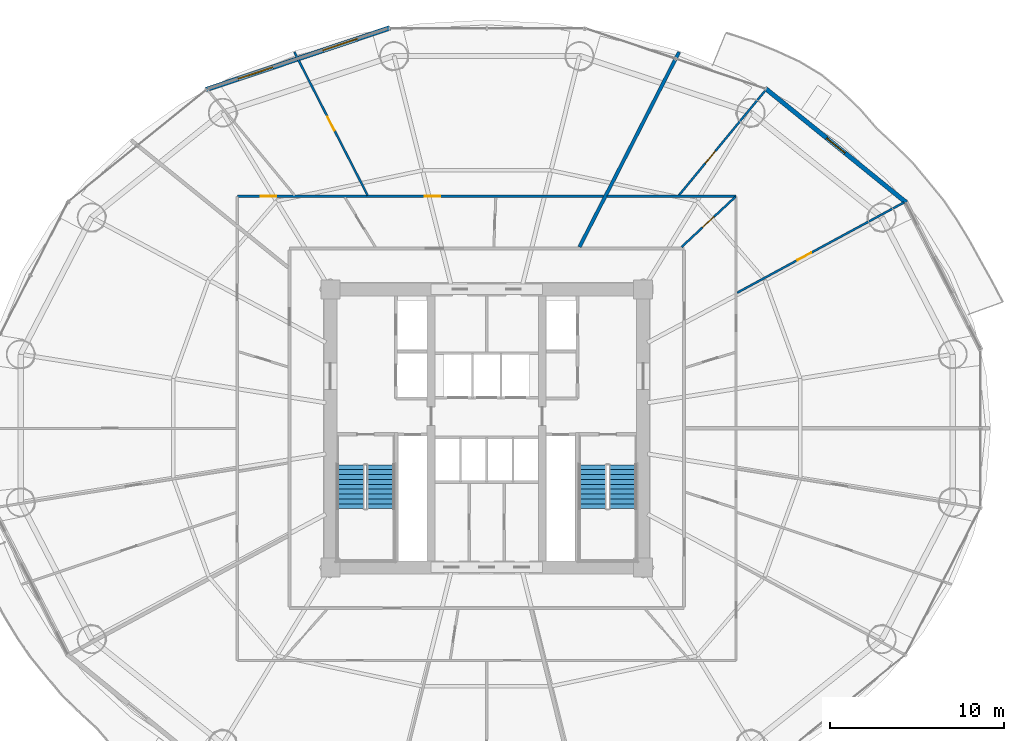
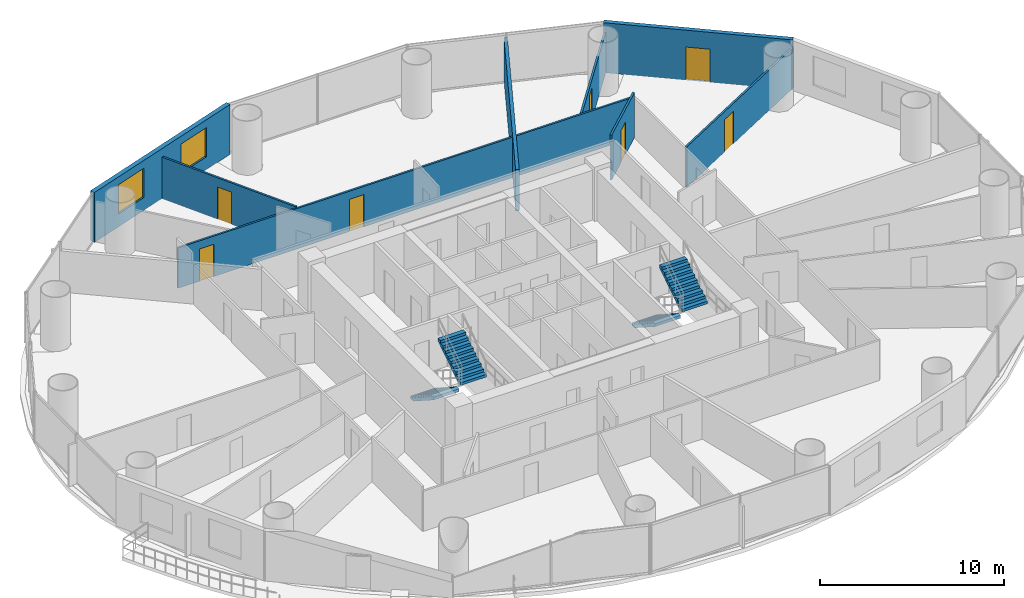
# One storey, part 25 of 29: 9 walls, 7 doors, 4 stair flights, 2 windows, 9 openings, 2 elements without a shape of their own.
"""IFC4 building model written with IfcOpenShell, lengths in metres."""

from ifc_helpers import new_model, si_unit, direction, frame, frame_2d, origin, place, context, subcontext, project, spatial, polyline, rectangle, outline, extrude, source, transform, mapped, material, layer, layer_set, type_object, element, fill, aggregate, save


model = new_model("IFC4")

# Units and contexts
model_context = context("Model", 3, precision=1e-05, world=origin(), true_north=direction((-0.2419218956, 0.970295726276)))
body_context = subcontext(model_context, "Body", "Model", "MODEL_VIEW")
ifc_project = project(units=[si_unit("LENGTHUNIT", "METRE"), si_unit("AREAUNIT", "SQUARE_METRE"), si_unit("VOLUMEUNIT", "CUBIC_METRE"), si_unit("PLANEANGLEUNIT", "RADIAN"), si_unit("MASSUNIT", "GRAM", prefix="KILO")], contexts=[model_context])

# Site, building, storey
site_placement = place(None, origin())
site = spatial("IfcSite", under=ifc_project, at=site_placement, CompositionType="ELEMENT")
building_placement = place(site_placement, origin())
building = spatial("IfcBuilding", under=site, at=building_placement, Name="Cobrevalo Terracotta Tower", CompositionType="ELEMENT")
storey_placement = place(building_placement, frame((0.0, 0.0, 67.199951171875)))
storey = spatial("IfcBuildingStorey", under=building, at=storey_placement, Name="L17", CompositionType="ELEMENT", Elevation=67.199951171875)

# Wall
ifc_material_1 = material(Name="Autoclaved aerated concrete block", Category="concrete")
ifc_layer_1 = layer(ifc_material_1, 0.199951171875)
ifc_layer_set_1 = layer_set([ifc_layer_1], Name="Autoclaved aerated concrete block")
wall_type_1 = type_object("IfcWallType", Name="Fire-rated stair, shaft & demising masonry wall 200 mm", PredefinedType="PARTITIONING", material=ifc_layer_set_1)
wall_1_placement = place(storey_placement, frame((43.334716796875, 37.23681640625, 0.0), z_axis=(0.0, 0.0, 1.0), x_axis=(0.455148959499, 0.890415310216, 0.0)))
element("IfcWall", 1, at=wall_1_placement, inside=storey, type_object=wall_type_1, Name="L17 interior partition IW-L17-DEM-2", PredefinedType="PARTITIONING", context=body_context, shape_type="SweptSolid", body=[
    extrude(rectangle(XDim=12.598388671875, YDim=0.199951171875, at=frame_2d((6.29931640625, 0.0))), origin(), (0.0, 0.0, 1.0), 2.761962890625),
])

# Wall, openings, windows
ifc_layer_2 = layer(ifc_material_1, 0.280029296875)
ifc_layer_set_2 = layer_set([ifc_layer_2], Name="Autoclaved aerated concrete block")
wall_type_2 = type_object("IfcWallType", Name="Insulated tower spandrel & pier wall 280 mm with terracotta rainscreen", PredefinedType="SOLIDWALL", material=ifc_layer_set_2)
wall_2_placement = place(storey_placement, frame((32.424072265625, 49.844482421875, 0.0), z_axis=(0.0, 0.0, 1.0), x_axis=(-0.948041258496, -0.318147406385, 0.0)))
wall_2 = element("IfcWall", 2, at=wall_2_placement, inside=storey, type_object=wall_type_2, Name="L17 terracotta rainscreen pier wall S05", PredefinedType="SOLIDWALL", context=body_context, shape_type="SweptSolid", body=[
    extrude(rectangle(XDim=11.17529296875, YDim=0.280029296875, at=frame_2d((5.587646484375, 0.0))), origin(), (0.0, 0.0, 1.0), 3.320068359375),
])
opening_1_placement = place(wall_2_placement, frame((1.96728515625, 0.0, 0.85009765625)))
opening_1 = element("IfcOpeningElement", 3, at=opening_1_placement, cuts=wall_2, Name="Opening WN-10", PredefinedType="OPENING", context=body_context, shape_type="SweptSolid", body=[
    extrude(rectangle(XDim=2.10009765625, YDim=1.949951171875, at=frame_2d((1.050048828125, 0.97509765625))), frame((0.0, 0.14990234375, 0.0), z_axis=(0.0, -1.0, 0.0), x_axis=(1.0, 0.0, 0.0)), (0.0, 0.0, 1.0), 0.300048828125),
])
opening_2_placement = place(wall_2_placement, frame((7.108154296875, 0.0, 0.85009765625)))
opening_2 = element("IfcOpeningElement", 4, at=opening_2_placement, cuts=wall_2, Name="Opening WN-10", PredefinedType="OPENING", context=body_context, shape_type="SweptSolid", body=[
    extrude(rectangle(XDim=2.10009765625, YDim=1.949951171875, at=frame_2d((1.050048828125, 0.97509765625))), frame((0.0, 0.14990234375, 0.0), z_axis=(0.0, -1.0, 0.0), x_axis=(1.0, 0.0, 0.0)), (0.0, 0.0, 1.0), 0.300048828125),
])
ifc_material_2 = material(Name="Solar-control low-E double glazing", Category="glass")
window_type = type_object("IfcWindowType", Name="Wide panoramic low-E aluminium window 2100x1950", PartitioningType="SINGLE_PANEL", PredefinedType="WINDOW", material=ifc_material_2)
shared_shape_1 = source(origin(), body_context, "Body", "SweptSolid", [
    extrude(rectangle(XDim=2.10009765625, YDim=1.949951171875, at=frame_2d((1.050048828125, 0.97509765625))), frame((0.0, 0.030029296875, 0.0), z_axis=(0.0, -1.0, 0.0), x_axis=(1.0, 0.0, 0.0)), (0.0, 0.0, 1.0), 0.06005859375),
])
window_1_placement = place(opening_1_placement, origin())
window_1 = element("IfcWindow", 5, at=window_1_placement, inside=storey, type_object=window_type, Name="L17 suite window S05A", OverallHeight=1.949951171875, OverallWidth=2.10009765625, PartitioningType="SINGLE_PANEL", PredefinedType="WINDOW", context=body_context, shape_type="MappedRepresentation", body=[
    mapped(shared_shape_1, transform((0.0, 0.0, 0.0), scale=1.0)),
])
fill(opening_1, window_1)
window_2_placement = place(opening_2_placement, origin())
window_2 = element("IfcWindow", 6, at=window_2_placement, inside=storey, type_object=window_type, Name="L17 suite window S05B", OverallHeight=1.949951171875, OverallWidth=2.10009765625, PartitioningType="SINGLE_PANEL", PredefinedType="WINDOW", context=body_context, shape_type="MappedRepresentation", body=[
    mapped(shared_shape_1, transform((0.0, 0.0, 0.0), scale=1.0)),
])
fill(opening_2, window_2)

# Wall, opening, door
ifc_layer_3 = layer(ifc_material_1, 0.260009765625)
ifc_layer_set_3 = layer_set([ifc_layer_3], Name="Autoclaved aerated concrete block")
wall_type_3 = type_object("IfcWallType", Name="Recessed balcony loggia insulated exterior wall 260 mm", PredefinedType="SOLIDWALL", material=ifc_layer_set_3)
wall_3_placement = place(storey_placement, frame((62.14990234375, 39.788818359375, 0.0), z_axis=(0.0, 0.0, 1.0), x_axis=(-0.777005352078, 0.62949398952, 0.0)))
wall_3 = element("IfcWall", 7, at=wall_3_placement, inside=storey, type_object=wall_type_3, Name="L17 balcony loggia wall S02", PredefinedType="SOLIDWALL", context=body_context, shape_type="SweptSolid", body=[
    extrude(rectangle(XDim=10.44677734375, YDim=0.260009765625, at=frame_2d((5.223388671875, 0.0))), origin(), (0.0, 0.0, 1.0), 3.320068359375),
])
opening_3_placement = place(wall_3_placement, frame((4.54833984375, 0.0, 0.0)))
opening_3 = element("IfcOpeningElement", 8, at=opening_3_placement, cuts=wall_3, Name="Opening ED-05", PredefinedType="OPENING", context=body_context, shape_type="SweptSolid", body=[
    extrude(rectangle(XDim=1.35009765625, YDim=2.199951171875, at=frame_2d((0.675048828125, 1.10009765625))), frame((0.0, 0.14013671875, 0.0), z_axis=(0.0, -1.0, 0.0), x_axis=(1.0, 0.0, 0.0)), (0.0, 0.0, 1.0), 0.280029296875),
])
ifc_material_3 = material(Name="Anodized aluminium and laminated glass", Category="aluminium")
door_type_1 = type_object("IfcDoorType", Name="Suite balcony acoustic glazed terrace door 1350x2200", OperationType="NOTDEFINED", PredefinedType="DOOR", material=ifc_material_3)
shared_shape_2 = source(origin(), body_context, "Body", "SweptSolid", [
    extrude(rectangle(XDim=1.35009765625, YDim=2.199951171875, at=frame_2d((0.675048828125, 1.10009765625))), frame((0.0, 0.02490234375, 0.0), z_axis=(0.0, -1.0, 0.0), x_axis=(1.0, 0.0, 0.0)), (0.0, 0.0, 1.0), 0.050048828125),
])
door_1_placement = place(opening_3_placement, frame((1.35009765625, 0.0, 0.0), z_axis=(0.0, 0.0, 1.0), x_axis=(-1.0, 0.0, 0.0)))
door_1 = element("IfcDoor", 9, at=door_1_placement, inside=storey, type_object=door_type_1, Name="L17 glazed balcony terrace door 1", OperationType="SINGLE_SWING_LEFT", OverallHeight=2.199951171875, OverallWidth=1.35009765625, PredefinedType="DOOR", context=body_context, shape_type="MappedRepresentation", body=[
    mapped(shared_shape_2, transform((0.0, 0.0, 0.0), scale=1.0)),
])
fill(opening_3, door_1)

# Wall
ifc_material_4 = material(Name="Gypsum board on steel stud", Category="steel")
ifc_layer_4 = layer(ifc_material_4, 0.1201171875)
ifc_layer_set_4 = layer_set([ifc_layer_4], Name="Gypsum board on steel stud")
wall_type_4 = type_object("IfcWallType", Name="Residential internal acoustic stud partition 120 mm", PredefinedType="PARTITIONING", material=ifc_layer_set_4)
wall_4_placement = place(storey_placement, frame((44.928466796875, 40.155029296875, 0.0), z_axis=(0.0, 0.0, 1.0), x_axis=(1.0, 0.0, 0.0)))
element("IfcWall", 10, at=wall_4_placement, inside=storey, type_object=wall_type_4, Name="L17 interior partition IW-L17-U1-RING0_0", PredefinedType="PARTITIONING", context=body_context, shape_type="SweptSolid", body=[
    extrude(rectangle(XDim=7.426513671875, YDim=0.1201171875, at=frame_2d((3.71337890625, 0.0))), origin(), (0.0, 0.0, 1.0), 2.68798828125),
])

# Wall, opening, door
wall_5_placement = place(storey_placement, frame((52.409423828125, 34.60205078125, 0.0), z_axis=(0.0, 0.0, 1.0), x_axis=(0.879373936002, 0.476131789193, 0.0)))
wall_5 = element("IfcWall", 11, at=wall_5_placement, inside=storey, type_object=wall_type_4, Name="L17 interior partition IW-L17-U1-ORAD1", PredefinedType="PARTITIONING", context=body_context, shape_type="SweptSolid", body=[
    extrude(rectangle(XDim=10.91259765625, YDim=0.1201171875, at=frame_2d((5.456298828125, 0.0))), origin(), (0.0, 0.0, 1.0), 2.68798828125),
])
opening_4_placement = place(wall_5_placement, frame((3.9482421875, 0.0, 0.0)))
opening_4 = element("IfcOpeningElement", 12, at=opening_4_placement, cuts=wall_5, Name="Opening ID-12", PredefinedType="OPENING", context=body_context, shape_type="SweptSolid", body=[
    extrude(rectangle(XDim=0.89990234375, YDim=2.14990234375, at=frame_2d((0.449951171875, 1.074951171875))), frame((0.0, 0.070068359375, 0.0), z_axis=(0.0, -1.0, 0.0), x_axis=(1.0, 0.0, 0.0)), (0.0, 0.0, 1.0), 0.14013671875),
])
ifc_material_5 = material(Name="Engineered timber", Category="wood")
door_type_2 = type_object("IfcDoorType", Name="Internal residence & suite timber door 900x2150", OperationType="NOTDEFINED", PredefinedType="DOOR", material=ifc_material_5)
shared_shape_3 = source(origin(), body_context, "Body", "SweptSolid", [
    extrude(rectangle(XDim=0.89990234375, YDim=2.14990234375, at=frame_2d((0.449951171875, 1.074951171875))), frame((0.0, 0.02490234375, 0.0), z_axis=(0.0, -1.0, 0.0), x_axis=(1.0, 0.0, 0.0)), (0.0, 0.0, 1.0), 0.050048828125),
])
door_2_placement = place(opening_4_placement, origin())
door_2 = element("IfcDoor", 13, at=door_2_placement, inside=storey, type_object=door_type_2, Name="Flat L17A Penthouse Family Lounge internal door", OperationType="SINGLE_SWING_LEFT", OverallHeight=2.14990234375, OverallWidth=0.89990234375, PredefinedType="DOOR", context=body_context, shape_type="MappedRepresentation", body=[
    mapped(shared_shape_3, transform((0.0, 0.0, 0.0), scale=1.0)),
])
fill(opening_4, door_2)

wall_6_placement = place(storey_placement, frame((49.051513671875, 40.202880859375, 0.0), z_axis=(0.0, 0.0, 1.0), x_axis=(0.636191994442, 0.771530781115, 0.0)))
wall_6 = element("IfcWall", 14, at=wall_6_placement, inside=storey, type_object=wall_type_4, Name="L17 interior partition IW-L17-U1-ORAD2M1", PredefinedType="PARTITIONING", context=body_context, shape_type="SweptSolid", body=[
    extrude(rectangle(XDim=7.836181640625, YDim=0.1201171875, at=frame_2d((3.91796875, 0.0))), origin(), (0.0, 0.0, 1.0), 2.68798828125),
])
opening_5_placement = place(wall_6_placement, frame((2.4091796875, 0.0, 0.0)))
opening_5 = element("IfcOpeningElement", 15, at=opening_5_placement, cuts=wall_6, Name="Opening ID-12", PredefinedType="OPENING", context=body_context, shape_type="SweptSolid", body=[
    extrude(rectangle(XDim=0.89990234375, YDim=2.14990234375, at=frame_2d((0.449951171875, 1.074951171875))), frame((0.0, 0.070068359375, 0.0), z_axis=(0.0, -1.0, 0.0), x_axis=(1.0, 0.0, 0.0)), (0.0, 0.0, 1.0), 0.14013671875),
])
door_3_placement = place(opening_5_placement, origin())
door_3 = element("IfcDoor", 16, at=door_3_placement, inside=storey, type_object=door_type_2, Name="Flat L17A Master Bedroom internal door", OperationType="SINGLE_SWING_RIGHT", OverallHeight=2.14990234375, OverallWidth=0.89990234375, PredefinedType="DOOR", context=body_context, shape_type="MappedRepresentation", body=[
    mapped(shared_shape_3, transform((0.0, 0.0, 0.0), scale=1.0)),
])
fill(opening_5, door_3)

wall_7_placement = place(storey_placement, frame((49.210693359375, 37.236328125, 0.0), z_axis=(0.0, 0.0, 1.0), x_axis=(0.731927788951, 0.681382206813, 0.0)))
wall_7 = element("IfcWall", 17, at=wall_7_placement, inside=storey, type_object=wall_type_4, Name="L17 interior partition IW-L17-U1-IRAD2", PredefinedType="PARTITIONING", context=body_context, shape_type="SweptSolid", body=[
    extrude(rectangle(XDim=4.221435546875, YDim=0.1201171875, at=frame_2d((2.11083984375, 0.0))), origin(), (0.0, 0.0, 1.0), 2.9990234375),
])
opening_6_placement = place(wall_7_placement, frame((1.66064453125, 0.0, 0.0)))
opening_6 = element("IfcOpeningElement", 18, at=opening_6_placement, cuts=wall_7, Name="Opening ID-12", PredefinedType="OPENING", context=body_context, shape_type="SweptSolid", body=[
    extrude(rectangle(XDim=0.89990234375, YDim=2.14990234375, at=frame_2d((0.449951171875, 1.074951171875))), frame((0.0, 0.070068359375, 0.0), z_axis=(0.0, -1.0, 0.0), x_axis=(1.0, 0.0, 0.0)), (0.0, 0.0, 1.0), 0.14013671875),
])
door_4_placement = place(opening_6_placement, origin())
door_4 = element("IfcDoor", 19, at=door_4_placement, inside=storey, type_object=door_type_2, Name="Flat L17A Kitchen internal door", OperationType="SINGLE_SWING_RIGHT", OverallHeight=2.14990234375, OverallWidth=0.89990234375, PredefinedType="DOOR", context=body_context, shape_type="MappedRepresentation", body=[
    mapped(shared_shape_3, transform((0.0, 0.0, 0.0), scale=1.0)),
])
fill(opening_6, door_4)

# Wall, openings, doors
wall_8_placement = place(storey_placement, frame((23.64501953125, 40.155029296875, 0.0), z_axis=(0.0, 0.0, 1.0), x_axis=(1.0, 0.0, 0.0)))
wall_8 = element("IfcWall", 20, at=wall_8_placement, inside=storey, type_object=wall_type_4, Name="L17 interior partition IW-L17-U2-RING1_0", PredefinedType="PARTITIONING", context=body_context, shape_type="SweptSolid", body=[
    extrude(rectangle(XDim=21.07958984375, YDim=0.1201171875, at=frame_2d((10.539794921875, 0.0))), origin(), (0.0, 0.0, 1.0), 2.68798828125),
])
opening_7_placement = place(wall_8_placement, frame((10.779052734375, 0.0, 0.0)))
opening_7 = element("IfcOpeningElement", 21, at=opening_7_placement, cuts=wall_8, Name="Opening ID-12", PredefinedType="OPENING", context=body_context, shape_type="SweptSolid", body=[
    extrude(rectangle(XDim=0.89990234375, YDim=2.14990234375, at=frame_2d((0.449951171875, 1.074951171875))), frame((0.0, 0.070068359375, 0.0), z_axis=(0.0, -1.0, 0.0), x_axis=(1.0, 0.0, 0.0)), (0.0, 0.0, 1.0), 0.14013671875),
])
opening_8_placement = place(wall_8_placement, frame((1.341552734375, 0.0, 0.0)))
opening_8 = element("IfcOpeningElement", 22, at=opening_8_placement, cuts=wall_8, Name="Opening ID-12", PredefinedType="OPENING", context=body_context, shape_type="SweptSolid", body=[
    extrude(rectangle(XDim=0.89990234375, YDim=2.14990234375, at=frame_2d((0.449951171875, 1.074951171875))), frame((0.0, 0.070068359375, 0.0), z_axis=(0.0, -1.0, 0.0), x_axis=(1.0, 0.0, 0.0)), (0.0, 0.0, 1.0), 0.14013671875),
])
door_5_placement = place(opening_7_placement, origin())
door_5 = element("IfcDoor", 23, at=door_5_placement, inside=storey, type_object=door_type_2, Name="Flat L17B Penthouse Living and Dining Room internal door", OperationType="SINGLE_SWING_LEFT", OverallHeight=2.14990234375, OverallWidth=0.89990234375, PredefinedType="DOOR", context=body_context, shape_type="MappedRepresentation", body=[
    mapped(shared_shape_3, transform((0.0, 0.0, 0.0), scale=1.0)),
])
fill(opening_7, door_5)
door_6_placement = place(opening_8_placement, origin())
door_6 = element("IfcDoor", 24, at=door_6_placement, inside=storey, type_object=door_type_2, Name="Flat L17B Penthouse Family Lounge internal door", OperationType="SINGLE_SWING_LEFT", OverallHeight=2.14990234375, OverallWidth=0.89990234375, PredefinedType="DOOR", context=body_context, shape_type="MappedRepresentation", body=[
    mapped(shared_shape_3, transform((0.0, 0.0, 0.0), scale=1.0)),
])
fill(opening_8, door_6)

# Wall, opening, door
wall_9_placement = place(storey_placement, frame((31.145263671875, 40.210205078125, 0.0), z_axis=(0.0, 0.0, 1.0), x_axis=(-0.455138005733, 0.89042090931, 0.0)))
wall_9 = element("IfcWall", 25, at=wall_9_placement, inside=storey, type_object=wall_type_4, Name="L17 interior partition IW-L17-U2-ORAD1", PredefinedType="PARTITIONING", context=body_context, shape_type="SweptSolid", body=[
    extrude(rectangle(XDim=9.259033203125, YDim=0.1201171875, at=frame_2d((4.62939453125, 0.0))), origin(), (0.0, 0.0, 1.0), 2.761962890625),
])
opening_9_placement = place(wall_9_placement, frame((4.179443359375, 0.0, 0.0)))
opening_9 = element("IfcOpeningElement", 26, at=opening_9_placement, cuts=wall_9, Name="Opening ID-12", PredefinedType="OPENING", context=body_context, shape_type="SweptSolid", body=[
    extrude(rectangle(XDim=0.89990234375, YDim=2.14990234375, at=frame_2d((0.449951171875, 1.074951171875))), frame((0.0, 0.070068359375, 0.0), z_axis=(0.0, -1.0, 0.0), x_axis=(1.0, 0.0, 0.0)), (0.0, 0.0, 1.0), 0.14013671875),
])
door_7_placement = place(opening_9_placement, origin())
door_7 = element("IfcDoor", 27, at=door_7_placement, inside=storey, type_object=door_type_2, Name="Flat L17B Master Bedroom internal door", OperationType="SINGLE_SWING_RIGHT", OverallHeight=2.14990234375, OverallWidth=0.89990234375, PredefinedType="DOOR", context=body_context, shape_type="MappedRepresentation", body=[
    mapped(shared_shape_3, transform((0.0, 0.0, 0.0), scale=1.0)),
])
fill(opening_9, door_7)

# Stair, stair flights
ifc_material_6 = material(Name="Concrete C50", Category="concrete")
stair_type = type_object("IfcStairType", Name="Core protected escape dogleg stair 1600", PredefinedType="HALF_TURN_STAIR", material=ifc_material_6)
stair_1_placement = place(storey_placement, origin())
stair_1 = element("IfcStair", 28, at=stair_1_placement, inside=storey, type_object=stair_type, Name="L17 Protected exit stair ST-1", PredefinedType="HALF_TURN_STAIR")
stair_flight_type = type_object("IfcStairFlightType", Name="Core protected escape dogleg stair 1600 flight", PredefinedType="STRAIGHT", material=ifc_material_6)
stair_flight_1_placement = place(storey_placement, frame((30.175048828125, 24.699951171875, 0.0), z_axis=(0.0, 0.0, 1.0), x_axis=(0.0, -1.0, 0.0)))
stair_flight_1 = element("IfcStairFlight", 29, at=stair_flight_1_placement, type_object=stair_flight_type, Name="ST-1 flight 1", NumberOfRisers=10, NumberOfTreads=9, PredefinedType="STRAIGHT", RiserHeight=0.18, TreadLength=0.28, context=body_context, shape_type="SweptSolid", body=[
    extrude(outline(polyline([(0.0, 0.0), (0.0, 0.179931640625), (0.280029296875, 0.179931640625), (0.280029296875, 0.360107421875), (0.56005859375, 0.360107421875), (0.56005859375, 0.5400390625), (0.840087890625, 0.5400390625), (0.840087890625, 0.719970703125), (1.1201171875, 0.719970703125), (1.1201171875, 0.89990234375), (1.39990234375, 0.89990234375), (1.39990234375, 1.080078125), (1.679931640625, 1.080078125), (1.679931640625, 1.260009765625), (1.9599609375, 1.260009765625), (1.9599609375, 1.43994140625), (2.239990234375, 1.43994140625), (2.239990234375, 1.6201171875), (2.52001953125, 1.6201171875), (2.52001953125, 1.800048828125), (2.52001953125, 1.429931640625), (0.295654296875, 0.0), (0.0, 0.0)])), frame((0.0, 0.800048828125, 0.0), z_axis=(0.0, -1.0, 0.0), x_axis=(1.0, 0.0, 0.0)), (0.0, 0.0, 1.0), 1.60009765625),
])
stair_flight_2_placement = place(storey_placement, frame((31.89501953125, 22.179931640625, 1.800048828125), z_axis=(0.0, 0.0, 1.0), x_axis=(0.0, 1.0, 0.0)))
stair_flight_2 = element("IfcStairFlight", 30, at=stair_flight_2_placement, type_object=stair_flight_type, Name="ST-1 flight 2", NumberOfRisers=10, NumberOfTreads=9, PredefinedType="STRAIGHT", RiserHeight=0.18, TreadLength=0.28, context=body_context, shape_type="SweptSolid", body=[
    extrude(outline(polyline([(0.0, 0.0), (0.0, 0.179931640625), (0.280029296875, 0.179931640625), (0.280029296875, 0.360107421875), (0.56005859375, 0.360107421875), (0.56005859375, 0.5400390625), (0.840087890625, 0.5400390625), (0.840087890625, 0.719970703125), (1.1201171875, 0.719970703125), (1.1201171875, 0.89990234375), (1.39990234375, 0.89990234375), (1.39990234375, 1.080078125), (1.679931640625, 1.080078125), (1.679931640625, 1.260009765625), (1.9599609375, 1.260009765625), (1.9599609375, 1.43994140625), (2.239990234375, 1.43994140625), (2.239990234375, 1.6201171875), (2.52001953125, 1.6201171875), (2.52001953125, 1.800048828125), (2.52001953125, 1.429931640625), (0.295654296875, 0.0), (0.0, 0.0)])), frame((0.0, 0.800048828125, 0.0), z_axis=(0.0, -1.0, 0.0), x_axis=(1.0, 0.0, 0.0)), (0.0, 0.0, 1.0), 1.60009765625),
])
aggregate(stair_1, [stair_flight_1, stair_flight_2])

stair_2_placement = place(storey_placement, origin())
stair_2 = element("IfcStair", 31, at=stair_2_placement, inside=storey, type_object=stair_type, Name="L17 Protected exit stair ST-2", PredefinedType="HALF_TURN_STAIR")
stair_flight_3_placement = place(storey_placement, frame((44.10498046875, 24.699951171875, 0.0), z_axis=(0.0, 0.0, 1.0), x_axis=(0.0, -1.0, 0.0)))
stair_flight_3 = element("IfcStairFlight", 32, at=stair_flight_3_placement, type_object=stair_flight_type, Name="ST-2 flight 1", NumberOfRisers=10, NumberOfTreads=9, PredefinedType="STRAIGHT", RiserHeight=0.18, TreadLength=0.28, context=body_context, shape_type="SweptSolid", body=[
    extrude(outline(polyline([(0.0, 0.0), (0.0, 0.179931640625), (0.280029296875, 0.179931640625), (0.280029296875, 0.360107421875), (0.56005859375, 0.360107421875), (0.56005859375, 0.5400390625), (0.840087890625, 0.5400390625), (0.840087890625, 0.719970703125), (1.1201171875, 0.719970703125), (1.1201171875, 0.89990234375), (1.39990234375, 0.89990234375), (1.39990234375, 1.080078125), (1.679931640625, 1.080078125), (1.679931640625, 1.260009765625), (1.9599609375, 1.260009765625), (1.9599609375, 1.43994140625), (2.239990234375, 1.43994140625), (2.239990234375, 1.6201171875), (2.52001953125, 1.6201171875), (2.52001953125, 1.800048828125), (2.52001953125, 1.429931640625), (0.295654296875, 0.0), (0.0, 0.0)])), frame((0.0, 0.800048828125, 0.0), z_axis=(0.0, -1.0, 0.0), x_axis=(1.0, 0.0, 0.0)), (0.0, 0.0, 1.0), 1.60009765625),
])
stair_flight_4_placement = place(storey_placement, frame((45.824951171875, 22.179931640625, 1.800048828125), z_axis=(0.0, 0.0, 1.0), x_axis=(0.0, 1.0, 0.0)))
stair_flight_4 = element("IfcStairFlight", 33, at=stair_flight_4_placement, type_object=stair_flight_type, Name="ST-2 flight 2", NumberOfRisers=10, NumberOfTreads=9, PredefinedType="STRAIGHT", RiserHeight=0.18, TreadLength=0.28, context=body_context, shape_type="SweptSolid", body=[
    extrude(outline(polyline([(0.0, 0.0), (0.0, 0.179931640625), (0.280029296875, 0.179931640625), (0.280029296875, 0.360107421875), (0.56005859375, 0.360107421875), (0.56005859375, 0.5400390625), (0.840087890625, 0.5400390625), (0.840087890625, 0.719970703125), (1.1201171875, 0.719970703125), (1.1201171875, 0.89990234375), (1.39990234375, 0.89990234375), (1.39990234375, 1.080078125), (1.679931640625, 1.080078125), (1.679931640625, 1.260009765625), (1.9599609375, 1.260009765625), (1.9599609375, 1.43994140625), (2.239990234375, 1.43994140625), (2.239990234375, 1.6201171875), (2.52001953125, 1.6201171875), (2.52001953125, 1.800048828125), (2.52001953125, 1.429931640625), (0.295654296875, 0.0), (0.0, 0.0)])), frame((0.0, 0.800048828125, 0.0), z_axis=(0.0, -1.0, 0.0), x_axis=(1.0, 0.0, 0.0)), (0.0, 0.0, 1.0), 1.60009765625),
])
aggregate(stair_2, [stair_flight_3, stair_flight_4])

save(model, "model.ifc")
